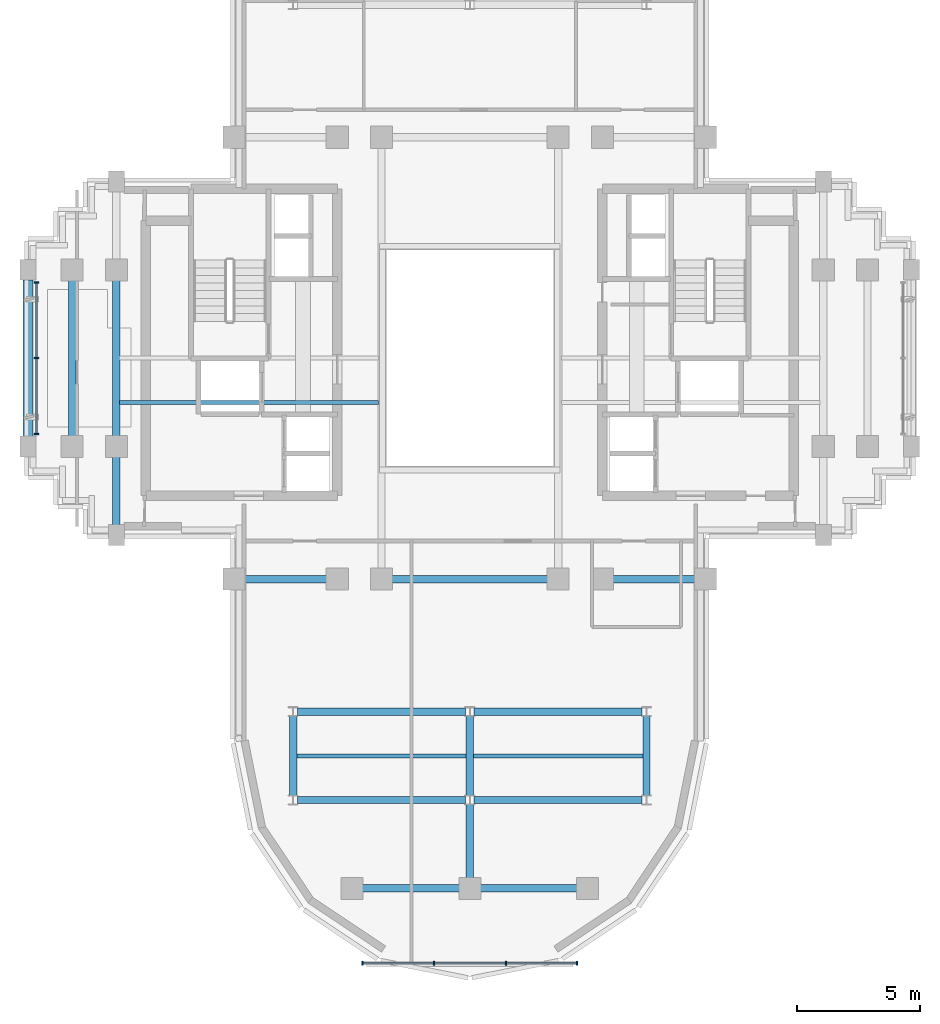
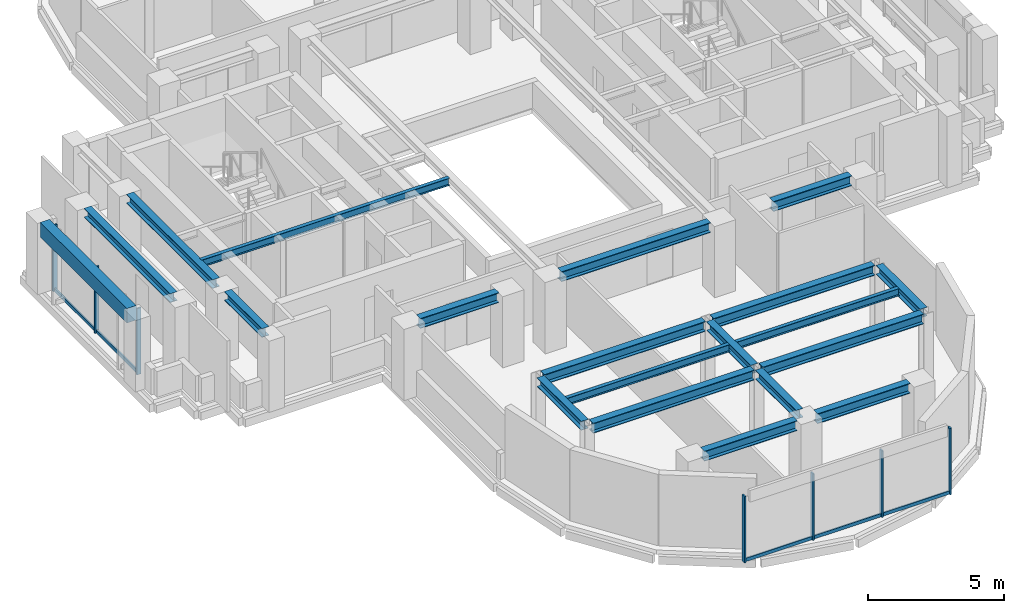
# One storey, part 2 of 11: 20 beams, 12 members, 2 elements without a shape of their own.
"""IFC4 building model written with IfcOpenShell, lengths in metres."""

from ifc_helpers import new_model, si_unit, direction, frame, origin, origin_2d, place, context, subcontext, project, spatial, rectangle, i_section, extrude, source, transform, mapped, material, material_profile, profile_set, type_object, element, aggregate, save


model = new_model("IFC4")

# Units and contexts
model_context = context("Model", 3, precision=1e-05, world=origin(), true_north=direction((0.0, 1.0)))
body_context = subcontext(model_context, "Body", "Model", "MODEL_VIEW")
ifc_project = project(units=[si_unit("LENGTHUNIT", "METRE"), si_unit("AREAUNIT", "SQUARE_METRE"), si_unit("VOLUMEUNIT", "CUBIC_METRE"), si_unit("PLANEANGLEUNIT", "RADIAN"), si_unit("MASSUNIT", "GRAM", prefix="KILO")], contexts=[model_context])

# Site, building, storey
site_placement = place(None, origin())
site = spatial("IfcSite", under=ifc_project, at=site_placement, CompositionType="ELEMENT")
building_placement = place(site_placement, origin())
building = spatial("IfcBuilding", under=site, at=building_placement, Name="Keilestroom Media Tower", CompositionType="ELEMENT")
storey_placement = place(building_placement, frame((0.0, 0.0, 170.60009765625)))
storey = spatial("IfcBuildingStorey", under=building, at=storey_placement, Name="L46", CompositionType="ELEMENT", Elevation=170.60009765625)

# Beams
ifc_material_1 = material(Name="Steel S355", Category="steel")
ifc_material_profile_1 = material_profile(ifc_material_1, i_section(OverallWidth=0.300048828125, OverallDepth=0.449951171875, WebThickness=0.011962890625, FlangeThickness=0.02587890625, at=origin_2d()), Name="HEB 450")
ifc_profile_set_1 = profile_set([ifc_material_profile_1], Name="Steel S355")
beam_type_1 = type_object("IfcBeamType", Name="Primary-Structural-Girder-HEB-450", PredefinedType="BEAM", material=ifc_profile_set_1)
shared_shape_1 = source(origin(), body_context, "Body", "SweptSolid", [
    extrude(i_section(OverallWidth=0.300048828125, OverallDepth=0.449951171875, WebThickness=0.011962890625, FlangeThickness=0.02587890625, at=origin_2d()), origin(), (0.0, 0.0, 1.0), 3.940185546875),
])
for number, where, z_axis, x_axis, name in (
    (1, (-4.3701171875, -21.60009765625, 2.974853515625), (1.0, 0.0, 0.0), (0.0, 1.0, 0.0), "L46 Beam BG-7 BM-L46-EW-001"),
    (2, (0.429931640625, -21.60009765625, 2.974853515625), (1.0, 0.0, 0.0), (0.0, 1.0, 0.0), "L46 Beam BG-7 BM-L46-EW-002"),
):
    element("IfcBeam", number, at=place(storey_placement, frame(where, z_axis=z_axis, x_axis=x_axis)), inside=storey, type_object=beam_type_1, Name=name, PredefinedType="BEAM", context=body_context, shape_type="MappedRepresentation", body=[
        mapped(shared_shape_1, transform((0.0, 0.0, 0.0), x_axis=(1.0, 0.0, 0.0), y_axis=(0.0, 1.0, 0.0), z_axis=(0.0, 0.0, 1.0), scale=1.0)),
    ])
shared_shape_2 = source(origin(), body_context, "Body", "SweptSolid", [
    extrude(i_section(OverallWidth=0.300048828125, OverallDepth=0.449951171875, WebThickness=0.011962890625, FlangeThickness=0.02587890625, at=origin_2d()), origin(), (0.0, 0.0, 1.0), 6.842041015625),
])
for number, where, z_axis, x_axis, name in (
    (3, (-7.02099609375, -18.0, 2.974853515625), (1.0, 0.0, 0.0), (0.0, 1.0, 0.0), "L46 Beam BG-7 BM-L46-EW-003"),
    (4, (0.178955078125, -18.0, 2.974853515625), (1.0, 0.0, 0.0), (0.0, 1.0, 0.0), "L46 Beam BG-7 BM-L46-EW-004"),
    (5, (-7.02099609375, -14.39990234375, 2.974853515625), (1.0, 0.0, 0.0), (0.0, 1.0, 0.0), "L46 Beam BG-7 BM-L46-EW-005"),
    (6, (0.178955078125, -14.39990234375, 2.974853515625), (1.0, 0.0, 0.0), (0.0, 1.0, 0.0), "L46 Beam BG-7 BM-L46-EW-006"),
):
    element("IfcBeam", number, at=place(storey_placement, frame(where, z_axis=z_axis, x_axis=x_axis)), inside=storey, type_object=beam_type_1, Name=name, PredefinedType="BEAM", context=body_context, shape_type="MappedRepresentation", body=[
        mapped(shared_shape_2, transform((0.0, 0.0, 0.0), x_axis=(1.0, 0.0, 0.0), y_axis=(0.0, 1.0, 0.0), z_axis=(0.0, 0.0, 1.0), scale=1.0)),
    ])
shared_shape_3 = source(origin(), body_context, "Body", "SweptSolid", [
    extrude(i_section(OverallWidth=0.300048828125, OverallDepth=0.449951171875, WebThickness=0.011962890625, FlangeThickness=0.02587890625, at=origin_2d()), origin(), (0.0, 0.0, 1.0), 3.33984375),
])
for number, where, z_axis, x_axis, name in (
    (7, (-9.169921875, -9.0, 2.974853515625), (1.0, 0.0, 0.0), (0.0, 1.0, 0.0), "L46 Beam BG-7 BM-L46-EW-007"),
    (8, (5.830078125, -9.0, 2.974853515625), (1.0, 0.0, 0.0), (0.0, 1.0, 0.0), "L46 Beam BG-7 BM-L46-EW-011"),
):
    element("IfcBeam", number, at=place(storey_placement, frame(where, z_axis=z_axis, x_axis=x_axis)), inside=storey, type_object=beam_type_1, Name=name, PredefinedType="BEAM", context=body_context, shape_type="MappedRepresentation", body=[
        mapped(shared_shape_3, transform((0.0, 0.0, 0.0), x_axis=(1.0, 0.0, 0.0), y_axis=(0.0, 1.0, 0.0), z_axis=(0.0, 0.0, 1.0), scale=1.0)),
    ])
shared_shape_4 = source(origin(), body_context, "Body", "SweptSolid", [
    extrude(i_section(OverallWidth=0.300048828125, OverallDepth=0.449951171875, WebThickness=0.011962890625, FlangeThickness=0.02587890625, at=origin_2d()), origin(), (0.0, 0.0, 1.0), 6.33984375),
])
beam_1_placement = place(storey_placement, frame((-3.169921875, -9.0, 2.974853515625), z_axis=(1.0, 0.0, 0.0), x_axis=(0.0, 1.0, 0.0)))
element("IfcBeam", 9, at=beam_1_placement, inside=storey, type_object=beam_type_1, Name="L46 Beam BG-7 BM-L46-EW-009", PredefinedType="BEAM", context=body_context, shape_type="MappedRepresentation", body=[
    mapped(shared_shape_4, transform((0.0, 0.0, 0.0), x_axis=(1.0, 0.0, 0.0), y_axis=(0.0, 1.0, 0.0), z_axis=(0.0, 0.0, 1.0), scale=1.0)),
])
ifc_material_2 = material(Name="Precast concrete C40/50", Category="concrete")
ifc_material_profile_2 = material_profile(ifc_material_2, rectangle(XDim=0.39990234375, YDim=0.64990234375, at=origin_2d()), Name="PC 400x650")
ifc_profile_set_2 = profile_set([ifc_material_profile_2], Name="Precast concrete C40/50")
beam_type_2 = type_object("IfcBeamType", Name="Perimeter-Spandrel-Beam-PC-400x650", PredefinedType="SPANDREL", material=ifc_profile_set_2)
shared_shape_5 = source(origin(), body_context, "Body", "SweptSolid", [
    extrude(rectangle(XDim=0.39990234375, YDim=0.64990234375, at=origin_2d()), origin(), (0.0, 0.0, 1.0), 6.39013671875),
])
beam_2_placement = place(storey_placement, frame((-18.0, -3.195068359375, 2.875), z_axis=(0.0, 1.0, 0.0), x_axis=(-1.0, 0.0, 0.0)))
element("IfcBeam", 10, at=beam_2_placement, inside=storey, type_object=beam_type_2, Name="L46 Beam SPB-2 BM-L46-NS-031", PredefinedType="SPANDREL", context=body_context, shape_type="MappedRepresentation", body=[
    mapped(shared_shape_5, transform((0.0, 0.0, 0.0), x_axis=(1.0, 0.0, 0.0), y_axis=(0.0, 1.0, 0.0), z_axis=(0.0, 0.0, 1.0), scale=1.0)),
])
ifc_material_profile_3 = material_profile(ifc_material_1, i_section(OverallWidth=0.300048828125, OverallDepth=0.39990234375, WebThickness=0.011474609375, FlangeThickness=0.02392578125, at=origin_2d()), Name="HEB 400")
ifc_profile_set_3 = profile_set([ifc_material_profile_3], Name="Steel S355")
beam_type_3 = type_object("IfcBeamType", Name="Primary-Structural-Girder-HEB-400", PredefinedType="BEAM", material=ifc_profile_set_3)
shared_shape_6 = source(origin(), body_context, "Body", "SweptSolid", [
    extrude(i_section(OverallWidth=0.300048828125, OverallDepth=0.39990234375, WebThickness=0.011474609375, FlangeThickness=0.02392578125, at=origin_2d()), origin(), (0.0, 0.0, 1.0), 6.33984375),
])
for number, where, z_axis, x_axis, name in (
    (11, (-16.199951171875, -3.169921875, 3.0), (0.0, 1.0, 0.0), (-1.0, 0.0, 0.0), "L46 Beam BG-8 BM-L46-NS-032"),
    (12, (-14.39990234375, -3.169921875, 3.0), (0.0, 1.0, 0.0), (-1.0, 0.0, 0.0), "L46 Beam BG-8 BM-L46-NS-034"),
):
    element("IfcBeam", number, at=place(storey_placement, frame(where, z_axis=z_axis, x_axis=x_axis)), inside=storey, type_object=beam_type_3, Name=name, PredefinedType="BEAM", context=body_context, shape_type="MappedRepresentation", body=[
        mapped(shared_shape_6, transform((0.0, 0.0, 0.0), x_axis=(1.0, 0.0, 0.0), y_axis=(0.0, 1.0, 0.0), z_axis=(0.0, 0.0, 1.0), scale=1.0)),
    ])
shared_shape_7 = source(origin(), body_context, "Body", "SweptSolid", [
    extrude(i_section(OverallWidth=0.300048828125, OverallDepth=0.39990234375, WebThickness=0.011474609375, FlangeThickness=0.02392578125, at=origin_2d()), origin(), (0.0, 0.0, 1.0), 2.764892578125),
])
beam_3_placement = place(storey_placement, frame((-14.39990234375, -6.794921875, 3.0), z_axis=(0.0, 1.0, 0.0), x_axis=(-1.0, 0.0, 0.0)))
element("IfcBeam", 13, at=beam_3_placement, inside=storey, type_object=beam_type_3, Name="L46 Beam BG-8 BM-L46-NS-033", PredefinedType="BEAM", context=body_context, shape_type="MappedRepresentation", body=[
    mapped(shared_shape_7, transform((0.0, 0.0, 0.0), x_axis=(1.0, 0.0, 0.0), y_axis=(0.0, 1.0, 0.0), z_axis=(0.0, 0.0, 1.0), scale=1.0)),
])
shared_shape_8 = source(origin(), body_context, "Body", "SweptSolid", [
    extrude(i_section(OverallWidth=0.300048828125, OverallDepth=0.39990234375, WebThickness=0.011474609375, FlangeThickness=0.02392578125, at=origin_2d()), origin(), (0.0, 0.0, 1.0), 3.2529296875),
])
for number, where, z_axis, x_axis, name in (
    (14, (-7.199951171875, -17.826416015625, 3.0), (0.0, 1.0, 0.0), (-1.0, 0.0, 0.0), "L46 Beam BG-8 BM-L46-NS-037"),
    (15, (0.0, -17.826416015625, 3.0), (0.0, 1.0, 0.0), (-1.0, 0.0, 0.0), "L46 Beam BG-8 BM-L46-NS-042"),
    (16, (7.199951171875, -17.826416015625, 3.0), (0.0, 1.0, 0.0), (-1.0, 0.0, 0.0), "L46 Beam BG-8 BM-L46-NS-047"),
):
    element("IfcBeam", number, at=place(storey_placement, frame(where, z_axis=z_axis, x_axis=x_axis)), inside=storey, type_object=beam_type_3, Name=name, PredefinedType="BEAM", context=body_context, shape_type="MappedRepresentation", body=[
        mapped(shared_shape_8, transform((0.0, 0.0, 0.0), x_axis=(1.0, 0.0, 0.0), y_axis=(0.0, 1.0, 0.0), z_axis=(0.0, 0.0, 1.0), scale=1.0)),
    ])
shared_shape_9 = source(origin(), body_context, "Body", "SweptSolid", [
    extrude(i_section(OverallWidth=0.300048828125, OverallDepth=0.39990234375, WebThickness=0.011474609375, FlangeThickness=0.02392578125, at=origin_2d()), origin(), (0.0, 0.0, 1.0), 2.996337890625),
])
beam_4_placement = place(storey_placement, frame((0.0, -21.169921875, 3.0), z_axis=(0.0, 1.0, 0.0), x_axis=(-1.0, 0.0, 0.0)))
element("IfcBeam", 17, at=beam_4_placement, inside=storey, type_object=beam_type_3, Name="L46 Beam BG-8 BM-L46-NS-041", PredefinedType="BEAM", context=body_context, shape_type="MappedRepresentation", body=[
    mapped(shared_shape_9, transform((0.0, 0.0, 0.0), x_axis=(1.0, 0.0, 0.0), y_axis=(0.0, 1.0, 0.0), z_axis=(0.0, 0.0, 1.0), scale=1.0)),
])
ifc_material_profile_4 = material_profile(ifc_material_1, i_section(OverallWidth=0.159912109375, OverallDepth=0.330078125, WebThickness=0.007568359375, FlangeThickness=0.011474609375, at=origin_2d()), Name="IPE 330")
ifc_profile_set_4 = profile_set([ifc_material_profile_4], Name="Steel S355")
beam_type_4 = type_object("IfcBeamType", Name="Secondary-Floor-Joist-IPE-330", PredefinedType="JOIST", material=ifc_profile_set_4)
shared_shape_10 = source(origin(), body_context, "Body", "SweptSolid", [
    extrude(i_section(OverallWidth=0.159912109375, OverallDepth=0.330078125, WebThickness=0.007568359375, FlangeThickness=0.011474609375, at=origin_2d()), origin(), (0.0, 0.0, 1.0), 6.940185546875),
])
for number, where, z_axis, x_axis, name in (
    (18, (-7.070068359375, -16.199951171875, 3.034912109375), (1.0, 0.0, 0.0), (0.0, 1.0, 0.0), "L46 Beam BJ-6 JST-L46-055"),
    (19, (0.1298828125, -16.199951171875, 3.034912109375), (1.0, 0.0, 0.0), (0.0, 1.0, 0.0), "L46 Beam BJ-6 JST-L46-056"),
):
    element("IfcBeam", number, at=place(storey_placement, frame(where, z_axis=z_axis, x_axis=x_axis)), inside=storey, type_object=beam_type_4, Name=name, PredefinedType="JOIST", context=body_context, shape_type="MappedRepresentation", body=[
        mapped(shared_shape_10, transform((0.0, 0.0, 0.0), x_axis=(1.0, 0.0, 0.0), y_axis=(0.0, 1.0, 0.0), z_axis=(0.0, 0.0, 1.0), scale=1.0)),
    ])
shared_shape_11 = source(origin(), body_context, "Body", "SweptSolid", [
    extrude(i_section(OverallWidth=0.159912109375, OverallDepth=0.330078125, WebThickness=0.007568359375, FlangeThickness=0.011474609375, at=origin_2d()), origin(), (0.0, 0.0, 1.0), 10.5400390625),
])
beam_5_placement = place(storey_placement, frame((-14.27001953125, -1.800048828125, 3.034912109375), z_axis=(1.0, 0.0, 0.0), x_axis=(0.0, 1.0, 0.0)))
element("IfcBeam", 20, at=beam_5_placement, inside=storey, type_object=beam_type_4, Name="L46 Beam BJ-6 JST-L46-057", PredefinedType="JOIST", context=body_context, shape_type="MappedRepresentation", body=[
    mapped(shared_shape_11, transform((0.0, 0.0, 0.0), x_axis=(1.0, 0.0, 0.0), y_axis=(0.0, 1.0, 0.0), z_axis=(0.0, 0.0, 1.0), scale=1.0)),
])

# Curtain wall, members
ifc_material_3 = material(Name="Anodised Aluminium Alloy", Category="aluminium")
curtain_wall_type_1 = type_object("IfcCurtainWallType", Name="Unitised-Curtain-Wall-CW-6", PredefinedType="NOTDEFINED", material=ifc_material_3)
curtain_wall_1_placement = place(storey_placement, origin())
curtain_wall_1 = element("IfcCurtainWall", 21, at=curtain_wall_1_placement, inside=storey, type_object=curtain_wall_type_1, Name="L46 Curtain Wall CW-6 CW-L46-LS-1", PredefinedType="NOTDEFINED")
ifc_material_profile_5 = material_profile(ifc_material_3, rectangle(XDim=0.06494140625, YDim=0.179931640625, at=origin_2d()), Name="ALU MULLION 65x180")
ifc_profile_set_5 = profile_set([ifc_material_profile_5], Name="Anodised Aluminium Alloy")
member_type_1 = type_object("IfcMemberType", Name="Curtain-Wall-Mullion-CW-6", PredefinedType="MULLION", material=ifc_profile_set_5)
shared_shape_12 = source(origin(), body_context, "Body", "SweptSolid", [
    extrude(rectangle(XDim=0.06494140625, YDim=0.179931640625, at=origin_2d()), origin(), (0.0, 0.0, 1.0), 2.97998046875),
])
member_1_placement = place(storey_placement, frame((-4.367431640625, -24.64990234375, 0.0), z_axis=(0.0, 0.0, 1.0), x_axis=(1.0, 0.0, 0.0)))
member_1 = element("IfcMember", 22, at=member_1_placement, type_object=member_type_1, Name="CW-6 Mullion 00", PredefinedType="MULLION", context=body_context, shape_type="MappedRepresentation", body=[
    mapped(shared_shape_12, transform((0.0, 0.0, 0.0), x_axis=(1.0, 0.0, 0.0), y_axis=(0.0, 1.0, 0.0), z_axis=(0.0, 0.0, 1.0), scale=1.0)),
])
member_2_placement = place(storey_placement, frame((-1.466796875, -24.64990234375, 0.0), z_axis=(0.0, 0.0, 1.0), x_axis=(1.0, 0.0, 0.0)))
member_2 = element("IfcMember", 23, at=member_2_placement, type_object=member_type_1, Name="CW-6 Mullion 01", PredefinedType="MULLION", context=body_context, shape_type="MappedRepresentation", body=[
    mapped(shared_shape_12, transform((0.0, 0.0, 0.0), x_axis=(1.0, 0.0, 0.0), y_axis=(0.0, 1.0, 0.0), z_axis=(0.0, 0.0, 1.0), scale=1.0)),
])
member_3_placement = place(storey_placement, frame((1.466796875, -24.64990234375, 0.0), z_axis=(0.0, 0.0, 1.0), x_axis=(1.0, 0.0, 0.0)))
member_3 = element("IfcMember", 24, at=member_3_placement, type_object=member_type_1, Name="CW-6 Mullion 02", PredefinedType="MULLION", context=body_context, shape_type="MappedRepresentation", body=[
    mapped(shared_shape_12, transform((0.0, 0.0, 0.0), x_axis=(1.0, 0.0, 0.0), y_axis=(0.0, 1.0, 0.0), z_axis=(0.0, 0.0, 1.0), scale=1.0)),
])
member_4_placement = place(storey_placement, frame((4.367431640625, -24.64990234375, 0.0), z_axis=(0.0, 0.0, 1.0), x_axis=(1.0, 0.0, 0.0)))
member_4 = element("IfcMember", 25, at=member_4_placement, type_object=member_type_1, Name="CW-6 Mullion 03", PredefinedType="MULLION", context=body_context, shape_type="MappedRepresentation", body=[
    mapped(shared_shape_12, transform((0.0, 0.0, 0.0), x_axis=(1.0, 0.0, 0.0), y_axis=(0.0, 1.0, 0.0), z_axis=(0.0, 0.0, 1.0), scale=1.0)),
])
ifc_material_profile_6 = material_profile(ifc_material_3, rectangle(XDim=0.06494140625, YDim=0.14990234375, at=origin_2d()), Name="ALU TRANSOM 65x150")
ifc_profile_set_6 = profile_set([ifc_material_profile_6], Name="Anodised Aluminium Alloy")
member_type_2 = type_object("IfcMemberType", Name="Curtain-Wall-Transom-CW-6", PredefinedType="USERDEFINED", material=ifc_profile_set_6)
shared_shape_13 = source(origin(), body_context, "Body", "SweptSolid", [
    extrude(rectangle(XDim=0.06494140625, YDim=0.14990234375, at=origin_2d()), origin(), (0.0, 0.0, 1.0), 2.839599609375),
])
member_5_placement = place(storey_placement, frame((-4.3369140625, -24.64990234375, 0.074951171875), z_axis=(1.0, 0.0, 0.0), x_axis=(0.0, 1.0, 0.0)))
member_5 = element("IfcMember", 26, at=member_5_placement, type_object=member_type_2, Name="CW-6 Transom 00.1", ObjectType="TRANSOM", PredefinedType="USERDEFINED", context=body_context, shape_type="MappedRepresentation", body=[
    mapped(shared_shape_13, transform((0.0, 0.0, 0.0), x_axis=(1.0, 0.0, 0.0), y_axis=(0.0, 1.0, 0.0), z_axis=(0.0, 0.0, 1.0), scale=1.0)),
])
member_6_placement = place(storey_placement, frame((1.497314453125, -24.64990234375, 0.074951171875), z_axis=(1.0, 0.0, 0.0), x_axis=(0.0, 1.0, 0.0)))
member_6 = element("IfcMember", 27, at=member_6_placement, type_object=member_type_2, Name="CW-6 Transom 02.1", ObjectType="TRANSOM", PredefinedType="USERDEFINED", context=body_context, shape_type="MappedRepresentation", body=[
    mapped(shared_shape_13, transform((0.0, 0.0, 0.0), x_axis=(1.0, 0.0, 0.0), y_axis=(0.0, 1.0, 0.0), z_axis=(0.0, 0.0, 1.0), scale=1.0)),
])
shared_shape_14 = source(origin(), body_context, "Body", "SweptSolid", [
    extrude(rectangle(XDim=0.06494140625, YDim=0.14990234375, at=origin_2d()), origin(), (0.0, 0.0, 1.0), 2.87255859375),
])
member_7_placement = place(storey_placement, frame((-1.436279296875, -24.64990234375, 0.074951171875), z_axis=(1.0, 0.0, 0.0), x_axis=(0.0, 1.0, 0.0)))
member_7 = element("IfcMember", 28, at=member_7_placement, type_object=member_type_2, Name="CW-6 Transom 01.1", ObjectType="TRANSOM", PredefinedType="USERDEFINED", context=body_context, shape_type="MappedRepresentation", body=[
    mapped(shared_shape_14, transform((0.0, 0.0, 0.0), x_axis=(1.0, 0.0, 0.0), y_axis=(0.0, 1.0, 0.0), z_axis=(0.0, 0.0, 1.0), scale=1.0)),
])
aggregate(curtain_wall_1, [member_1, member_2, member_3, member_4, member_5, member_7, member_6])

curtain_wall_type_2 = type_object("IfcCurtainWallType", Name="Unitised-Curtain-Wall-CW-3", PredefinedType="NOTDEFINED", material=ifc_material_3)
curtain_wall_2_placement = place(storey_placement, origin())
curtain_wall_2 = element("IfcCurtainWall", 29, at=curtain_wall_2_placement, inside=storey, type_object=curtain_wall_type_2, Name="L46 Curtain Wall CW-3 CW-L46-W-1", PredefinedType="NOTDEFINED")
ifc_material_profile_7 = material_profile(ifc_material_3, rectangle(XDim=0.06494140625, YDim=0.179931640625, at=origin_2d()), Name="ALU MULLION 65x180")
ifc_profile_set_7 = profile_set([ifc_material_profile_7], Name="Anodised Aluminium Alloy")
member_type_3 = type_object("IfcMemberType", Name="Curtain-Wall-Mullion-CW-3", PredefinedType="MULLION", material=ifc_profile_set_7)
shared_shape_15 = source(origin(), body_context, "Body", "SweptSolid", [
    extrude(rectangle(XDim=0.06494140625, YDim=0.179931640625, at=origin_2d()), origin(), (0.0, 0.0, 1.0), 2.97998046875),
])
member_8_placement = place(storey_placement, frame((-17.64990234375, -3.08251953125, 0.0), z_axis=(0.0, 0.0, 1.0), x_axis=(0.0, 1.0, 0.0)))
member_8 = element("IfcMember", 30, at=member_8_placement, type_object=member_type_3, Name="CW-3 Mullion 00", PredefinedType="MULLION", context=body_context, shape_type="MappedRepresentation", body=[
    mapped(shared_shape_15, transform((0.0, 0.0, 0.0), x_axis=(1.0, 0.0, 0.0), y_axis=(0.0, 1.0, 0.0), z_axis=(0.0, 0.0, 1.0), scale=1.0)),
])
member_9_placement = place(storey_placement, frame((-17.64990234375, 0.0, 0.0), z_axis=(0.0, 0.0, 1.0), x_axis=(0.0, 1.0, 0.0)))
member_9 = element("IfcMember", 31, at=member_9_placement, type_object=member_type_3, Name="CW-3 Mullion 01", PredefinedType="MULLION", context=body_context, shape_type="MappedRepresentation", body=[
    mapped(shared_shape_15, transform((0.0, 0.0, 0.0), x_axis=(1.0, 0.0, 0.0), y_axis=(0.0, 1.0, 0.0), z_axis=(0.0, 0.0, 1.0), scale=1.0)),
])
member_10_placement = place(storey_placement, frame((-17.64990234375, 3.08251953125, 0.0), z_axis=(0.0, 0.0, 1.0), x_axis=(0.0, 1.0, 0.0)))
member_10 = element("IfcMember", 32, at=member_10_placement, type_object=member_type_3, Name="CW-3 Mullion 02", PredefinedType="MULLION", context=body_context, shape_type="MappedRepresentation", body=[
    mapped(shared_shape_15, transform((0.0, 0.0, 0.0), x_axis=(1.0, 0.0, 0.0), y_axis=(0.0, 1.0, 0.0), z_axis=(0.0, 0.0, 1.0), scale=1.0)),
])
ifc_material_profile_8 = material_profile(ifc_material_3, rectangle(XDim=0.06494140625, YDim=0.14990234375, at=origin_2d()), Name="ALU TRANSOM 65x150")
ifc_profile_set_8 = profile_set([ifc_material_profile_8], Name="Anodised Aluminium Alloy")
member_type_4 = type_object("IfcMemberType", Name="Curtain-Wall-Transom-CW-3", PredefinedType="USERDEFINED", material=ifc_profile_set_8)
shared_shape_16 = source(origin(), body_context, "Body", "SweptSolid", [
    extrude(rectangle(XDim=0.06494140625, YDim=0.14990234375, at=origin_2d()), origin(), (0.0, 0.0, 1.0), 3.021484375),
])
member_11_placement = place(storey_placement, frame((-17.64990234375, -3.052001953125, 0.074951171875), z_axis=(0.0, 1.0, 0.0), x_axis=(-1.0, 0.0, 0.0)))
member_11 = element("IfcMember", 33, at=member_11_placement, type_object=member_type_4, Name="CW-3 Transom 00.1", ObjectType="TRANSOM", PredefinedType="USERDEFINED", context=body_context, shape_type="MappedRepresentation", body=[
    mapped(shared_shape_16, transform((0.0, 0.0, 0.0), x_axis=(1.0, 0.0, 0.0), y_axis=(0.0, 1.0, 0.0), z_axis=(0.0, 0.0, 1.0), scale=1.0)),
])
member_12_placement = place(storey_placement, frame((-17.64990234375, 0.030517578125, 0.074951171875), z_axis=(0.0, 1.0, 0.0), x_axis=(-1.0, 0.0, 0.0)))
member_12 = element("IfcMember", 34, at=member_12_placement, type_object=member_type_4, Name="CW-3 Transom 01.1", ObjectType="TRANSOM", PredefinedType="USERDEFINED", context=body_context, shape_type="MappedRepresentation", body=[
    mapped(shared_shape_16, transform((0.0, 0.0, 0.0), x_axis=(1.0, 0.0, 0.0), y_axis=(0.0, 1.0, 0.0), z_axis=(0.0, 0.0, 1.0), scale=1.0)),
])
aggregate(curtain_wall_2, [member_8, member_9, member_10, member_11, member_12])

save(model, "model.ifc")
